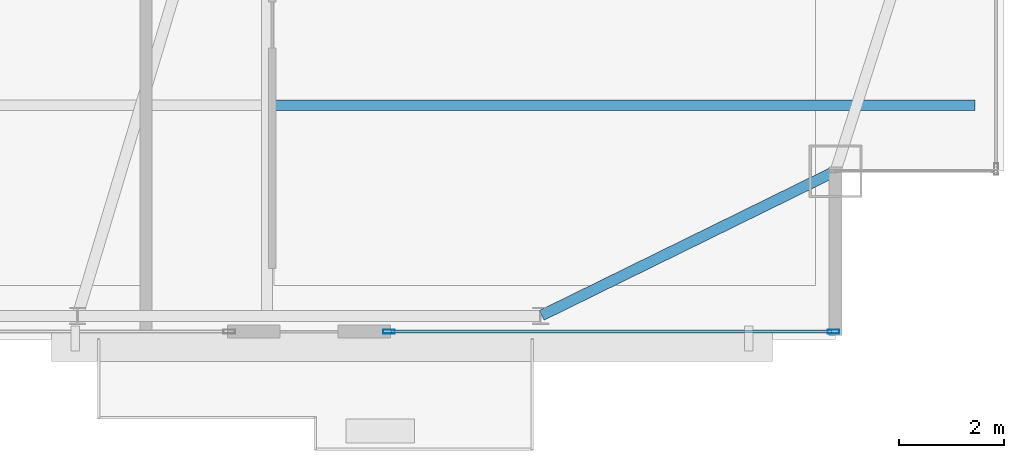
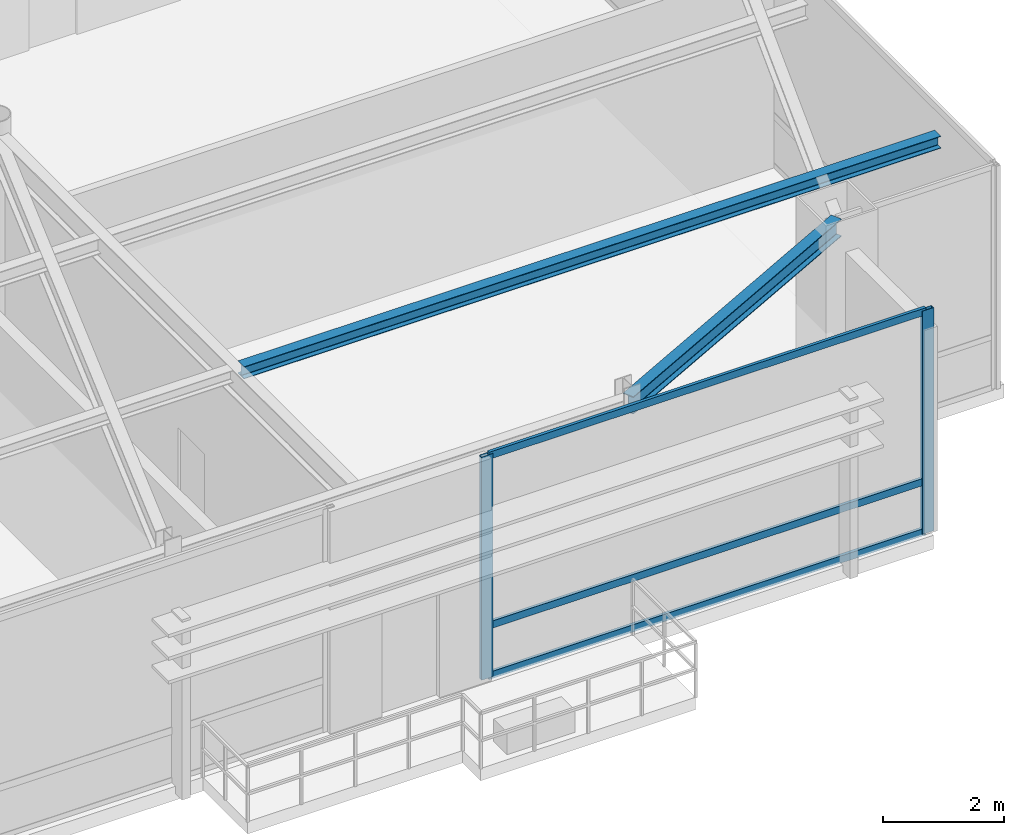
# One storey, part 11 of 22: 5 members, 2 beams, 1 element without a shape of its own.
"""IFC4 building model written with IfcOpenShell, lengths in metres."""

from ifc_helpers import new_model, si_unit, direction, frame, origin, origin_2d, place, context, subcontext, project, spatial, hollow_rectangle, i_section, extrude, source, transform, mapped, material, layer, layer_set, material_profile, profile_set, type_object, type_shapes, element, aggregate, save


model = new_model("IFC4")

# Units and contexts
model_context = context("Model", 3, precision=1e-05, world=origin(), true_north=direction((0.0, 1.0)))
body_context = subcontext(model_context, "Body", "Model", "MODEL_VIEW")
ifc_project = project(units=[si_unit("LENGTHUNIT", "METRE"), si_unit("AREAUNIT", "SQUARE_METRE"), si_unit("VOLUMEUNIT", "CUBIC_METRE"), si_unit("PLANEANGLEUNIT", "RADIAN"), si_unit("MASSUNIT", "GRAM", prefix="KILO")], contexts=[model_context])

# Site, building, storey
site_placement = place(None, origin())
site = spatial("IfcSite", under=ifc_project, at=site_placement, CompositionType="ELEMENT")
building_placement = place(site_placement, origin())
building = spatial("IfcBuilding", under=site, at=building_placement, Name="Varnel Quay Broadcast Tower", CompositionType="ELEMENT")
storey_placement = place(building_placement, frame((0.0, 0.0, 305.0)))
storey = spatial("IfcBuildingStorey", under=building, at=storey_placement, Name="L76", CompositionType="ELEMENT", Elevation=305.0)

# Beams
ifc_material_1 = material(Name="Structural Steel CSA G40.21 350W", Category="steel")
ifc_material_profile_1 = material_profile(ifc_material_1, i_section(OverallWidth=0.205078125, OverallDepth=0.35400390625, WebThickness=0.009521484375, FlangeThickness=0.016845703125, FilletRadius=0.012939453125, at=origin_2d()), Name="W360X79")
ifc_profile_set_1 = profile_set([ifc_material_profile_1], Name="Structural Steel CSA G40.21 350W")
beam_type_1 = type_object("IfcBeamType", Name="Beam_W360X79", PredefinedType="SPANDREL", material=ifc_profile_set_1)
shared_shape_1 = source(origin(), body_context, "Body", "SweptSolid", [
    extrude(i_section(OverallWidth=0.205078125, OverallDepth=0.35400390625, WebThickness=0.009521484375, FlangeThickness=0.016845703125, FilletRadius=0.012939453125, at=origin_2d()), origin(), (0.0, 0.0, 1.0), 6.19873046875),
])
type_shapes(beam_type_1, [shared_shape_1])
beam_1_placement = place(storey_placement, frame((47.218017578125, 13.65869140625, 4.343017578125), z_axis=(0.897602447358, 0.440805905697, 0.0), x_axis=(-0.440805905697, 0.897602447358, 0.0)))
element("IfcBeam", 1, at=beam_1_placement, inside=storey, type_object=beam_type_1, Name="L76 South Spandrel TC-S4-MC-SE", PredefinedType="SPANDREL", context=body_context, shape_type="MappedRepresentation", body=[
    mapped(shared_shape_1, transform((0.0, 0.0, 0.0), x_axis=(1.0, 0.0, 0.0), y_axis=(0.0, 1.0, 0.0), z_axis=(0.0, 0.0, 1.0), scale=1.0)),
])
ifc_material_profile_2 = material_profile(ifc_material_1, i_section(OverallWidth=0.201904296875, OverallDepth=0.2470703125, WebThickness=0.00732421875, FlangeThickness=0.010986328125, FilletRadius=0.010986328125, at=origin_2d()), Name="W250X49")
ifc_profile_set_2 = profile_set([ifc_material_profile_2], Name="Structural Steel CSA G40.21 350W")
beam_type_2 = type_object("IfcBeamType", Name="Beam_W250X49", PredefinedType="JOIST", material=ifc_profile_set_2)
shared_shape_2 = source(origin(), body_context, "Body", "SweptSolid", [
    extrude(i_section(OverallWidth=0.201904296875, OverallDepth=0.2470703125, WebThickness=0.00732421875, FlangeThickness=0.010986328125, FilletRadius=0.010986328125, at=origin_2d()), origin(), (0.0, 0.0, 1.0), 13.351318359375),
])
type_shapes(beam_type_2, [shared_shape_2])
beam_2_placement = place(storey_placement, frame((42.10107421875, 17.64990234375, 4.396484375), z_axis=(1.0, 0.0, 0.0), x_axis=(0.0, 1.0, 0.0)))
element("IfcBeam", 2, at=beam_2_placement, inside=storey, type_object=beam_type_2, Name="L76 East Floor Joist 1", PredefinedType="JOIST", context=body_context, shape_type="MappedRepresentation", body=[
    mapped(shared_shape_2, transform((0.0, 0.0, 0.0), x_axis=(1.0, 0.0, 0.0), y_axis=(0.0, 1.0, 0.0), z_axis=(0.0, 0.0, 1.0), scale=1.0)),
])

# Curtain wall, members
ifc_material_2 = material(Name="Anodised Bronze Aluminium 6063-T6", Category="aluminium")
ifc_layer = layer(ifc_material_2, 0.18994140625, Name="Anodised Bronze Aluminium 6063-T6")
ifc_layer_set = layer_set([ifc_layer], Name="Anodised Bronze Aluminium 6063-T6")
curtain_wall_type = type_object("IfcCurtainWallType", Name="CW_SkyObsHighVis", PredefinedType="NOTDEFINED", material=ifc_layer_set)
curtain_wall_placement = place(storey_placement, origin())
curtain_wall = element("IfcCurtainWall", 3, at=curtain_wall_placement, inside=storey, type_object=curtain_wall_type, Name="L76 South Unitised Curtain Wall 3", PredefinedType="NOTDEFINED")
ifc_material_profile_3 = material_profile(ifc_material_2, hollow_rectangle(XDim=0.074951171875, YDim=0.219970703125, WallThickness=0.00390625, at=origin_2d()), Name="ALU75X220X4")
ifc_profile_set_3 = profile_set([ifc_material_profile_3], Name="Anodised Bronze Aluminium 6063-T6")
member_type_1 = type_object("IfcMemberType", Name="Mull_CWS-05", PredefinedType="MULLION", material=ifc_profile_set_3)
shared_shape_3 = source(origin(), body_context, "Body", "SweptSolid", [
    extrude(hollow_rectangle(XDim=0.074951171875, YDim=0.219970703125, WallThickness=0.00390625, at=origin_2d()), origin(), (0.0, 0.0, 1.0), 4.52001953125),
])
type_shapes(member_type_1, [shared_shape_3])
member_1_placement = place(storey_placement, frame((44.3173828125, 13.35009765625, 0.0), z_axis=(0.0, 0.0, 1.0), x_axis=(0.0, 1.0, 0.0)))
member_1 = element("IfcMember", 4, at=member_1_placement, type_object=member_type_1, Name="CWS-05 mullion 1", PredefinedType="MULLION", context=body_context, shape_type="MappedRepresentation", body=[
    mapped(shared_shape_3, transform((0.0, 0.0, 0.0), x_axis=(1.0, 0.0, 0.0), y_axis=(0.0, 1.0, 0.0), z_axis=(0.0, 0.0, 1.0), scale=1.0)),
])
member_2_placement = place(storey_placement, frame((52.762451171875, 13.35009765625, 0.0), z_axis=(0.0, 0.0, 1.0), x_axis=(0.0, 1.0, 0.0)))
member_2 = element("IfcMember", 5, at=member_2_placement, type_object=member_type_1, Name="CWS-05 mullion 2", PredefinedType="MULLION", context=body_context, shape_type="MappedRepresentation", body=[
    mapped(shared_shape_3, transform((0.0, 0.0, 0.0), x_axis=(1.0, 0.0, 0.0), y_axis=(0.0, 1.0, 0.0), z_axis=(0.0, 0.0, 1.0), scale=1.0)),
])
ifc_material_profile_4 = material_profile(ifc_material_2, hollow_rectangle(XDim=0.06005859375, YDim=0.14501953125, WallThickness=0.00341796875, at=origin_2d()), Name="ALU60X145X3.5")
ifc_profile_set_4 = profile_set([ifc_material_profile_4], Name="Anodised Bronze Aluminium 6063-T6")
member_type_2 = type_object("IfcMemberType", Name="Tran_CWS-05", PredefinedType="USERDEFINED", material=ifc_profile_set_4)
shared_shape_4 = source(origin(), body_context, "Body", "SweptSolid", [
    extrude(hollow_rectangle(XDim=0.06005859375, YDim=0.14501953125, WallThickness=0.00341796875, at=origin_2d()), origin(), (0.0, 0.0, 1.0), 8.3701171875),
])
type_shapes(member_type_2, [shared_shape_4])
member_3_placement = place(storey_placement, frame((44.35498046875, 13.35009765625, 0.030029296875), z_axis=(1.0, 0.0, 0.0), x_axis=(0.0, 1.0, 0.0)))
member_3 = element("IfcMember", 6, at=member_3_placement, type_object=member_type_2, Name="CWS-05 transom 1.1", ObjectType="TRANSOM", PredefinedType="USERDEFINED", context=body_context, shape_type="MappedRepresentation", body=[
    mapped(shared_shape_4, transform((0.0, 0.0, 0.0), x_axis=(1.0, 0.0, 0.0), y_axis=(0.0, 1.0, 0.0), z_axis=(0.0, 0.0, 1.0), scale=1.0)),
])
member_4_placement = place(storey_placement, frame((44.35498046875, 13.35009765625, 1.050048828125), z_axis=(1.0, 0.0, 0.0), x_axis=(0.0, 1.0, 0.0)))
member_4 = element("IfcMember", 7, at=member_4_placement, type_object=member_type_2, Name="CWS-05 transom 1.2", ObjectType="TRANSOM", PredefinedType="USERDEFINED", context=body_context, shape_type="MappedRepresentation", body=[
    mapped(shared_shape_4, transform((0.0, 0.0, 0.0), x_axis=(1.0, 0.0, 0.0), y_axis=(0.0, 1.0, 0.0), z_axis=(0.0, 0.0, 1.0), scale=1.0)),
])
member_5_placement = place(storey_placement, frame((44.35498046875, 13.35009765625, 4.489990234375), z_axis=(1.0, 0.0, 0.0), x_axis=(0.0, 1.0, 0.0)))
member_5 = element("IfcMember", 8, at=member_5_placement, type_object=member_type_2, Name="CWS-05 transom 1.3", ObjectType="TRANSOM", PredefinedType="USERDEFINED", context=body_context, shape_type="MappedRepresentation", body=[
    mapped(shared_shape_4, transform((0.0, 0.0, 0.0), x_axis=(1.0, 0.0, 0.0), y_axis=(0.0, 1.0, 0.0), z_axis=(0.0, 0.0, 1.0), scale=1.0)),
])
aggregate(curtain_wall, [member_1, member_2, member_3, member_4, member_5])

save(model, "model.ifc")
